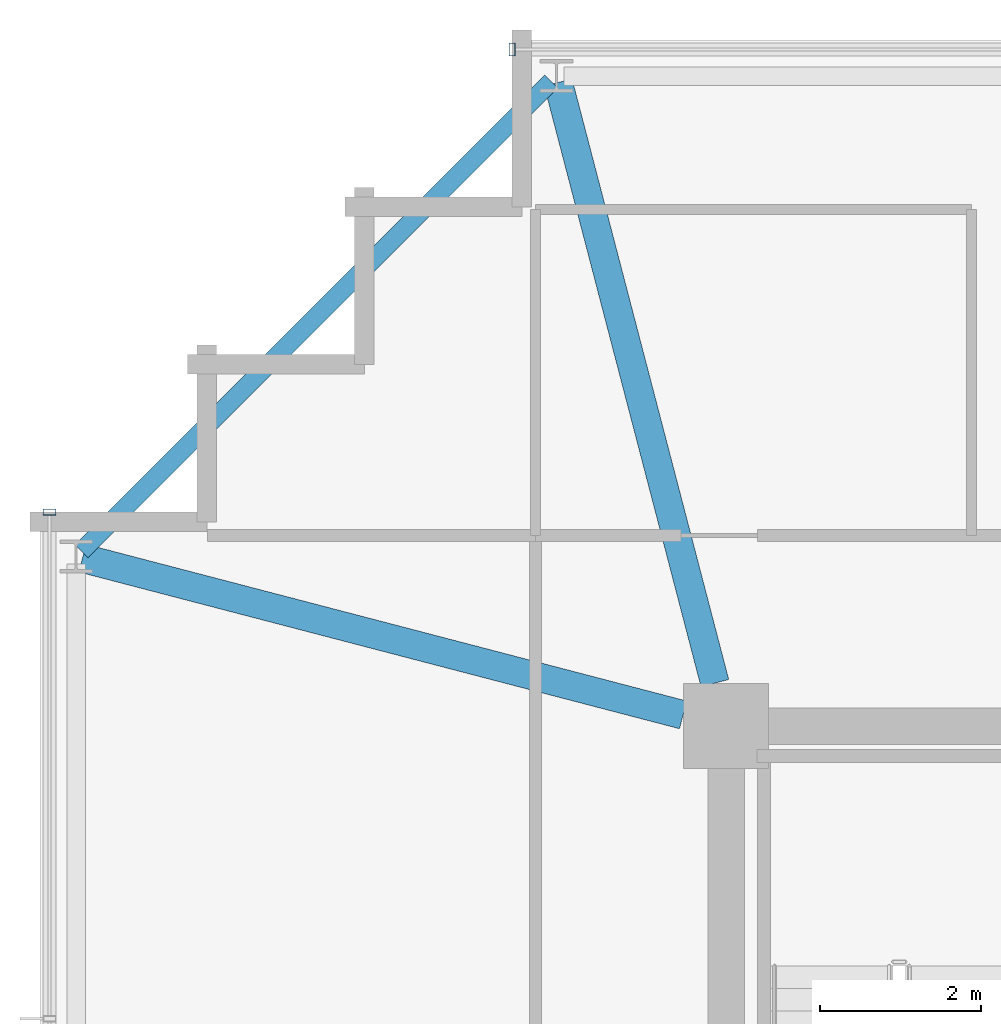
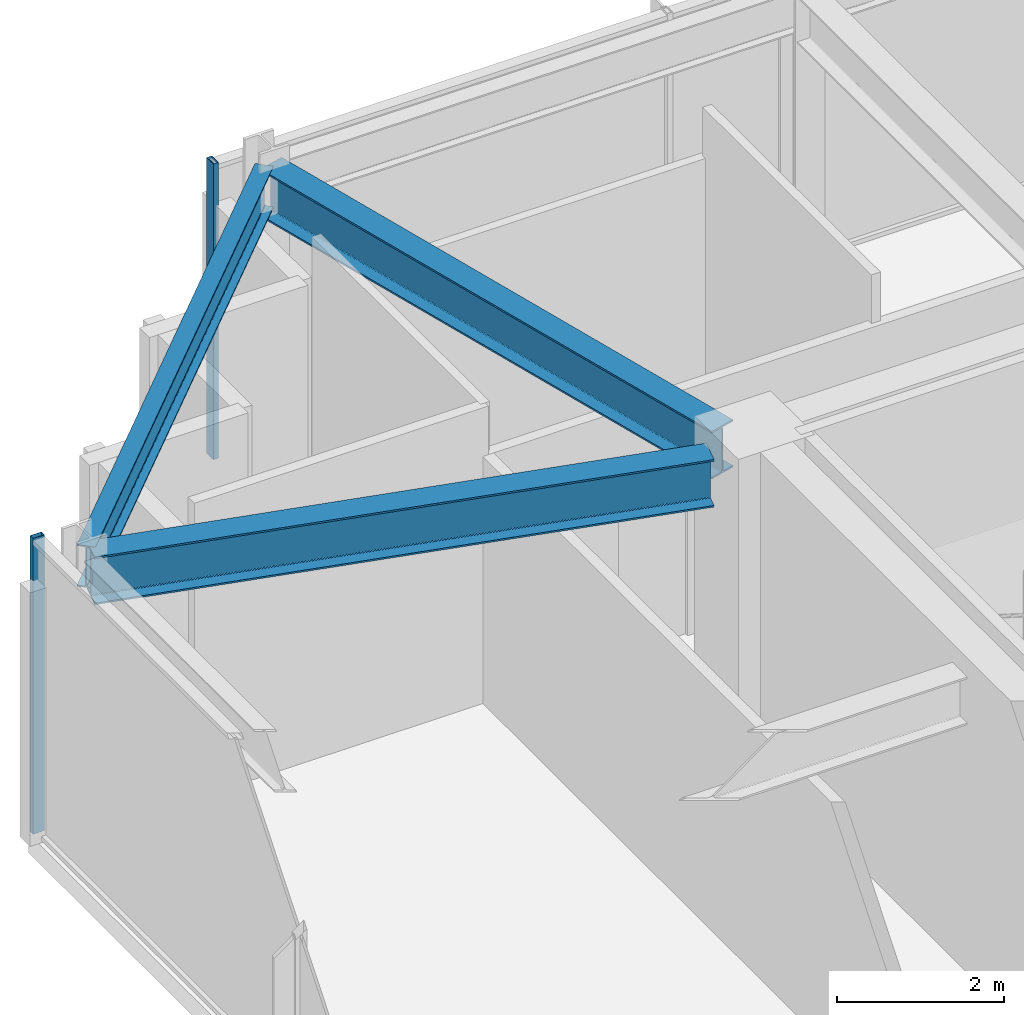
# One storey, part 15 of 30: 3 beams, 2 members, 2 elements without a shape of their own.
"""IFC4 building model written with IfcOpenShell, lengths in metres."""

from ifc_helpers import new_model, si_unit, direction, frame, origin, origin_2d, place, context, subcontext, project, spatial, hollow_rectangle, i_section, extrude, material, material_profile, profile_set, type_object, element, aggregate, save


model = new_model("IFC4")

# Units and contexts
model_context = context("Model", 3, precision=1e-05, world=origin(), true_north=direction((0.0, 1.0)))
body_context = subcontext(model_context, "Body", "Model", "MODEL_VIEW")
ifc_project = project(units=[si_unit("LENGTHUNIT", "METRE"), si_unit("AREAUNIT", "SQUARE_METRE"), si_unit("VOLUMEUNIT", "CUBIC_METRE"), si_unit("PLANEANGLEUNIT", "RADIAN"), si_unit("MASSUNIT", "GRAM", prefix="KILO")], contexts=[model_context])

# Site, building, storey
site_placement = place(None, origin())
site = spatial("IfcSite", under=ifc_project, at=site_placement, CompositionType="ELEMENT")
building_placement = place(site_placement, origin())
building = spatial("IfcBuilding", under=site, at=building_placement, Name="Kolvaren Belvedere", CompositionType="ELEMENT")
storey_placement = place(building_placement, frame((0.0, 0.0, 262.800048828125)))
storey = spatial("IfcBuildingStorey", under=building, at=storey_placement, Name="L76", CompositionType="ELEMENT", Elevation=262.800048828125)

# Beams
ifc_material_1 = material(Name="Structural steel ASTM A992 Grade 50", Category="steel")
ifc_material_profile_1 = material_profile(ifc_material_1, i_section(OverallWidth=0.35498046875, OverallDepth=0.696044921875, WebThickness=0.015380859375, FlangeThickness=0.02490234375, FilletRadius=0.02197265625, at=origin_2d()), Name="W27X146")
ifc_profile_set_1 = profile_set([ifc_material_profile_1], Name="Structural steel ASTM A992 Grade 50")
beam_type_1 = type_object("IfcBeamType", Name="BM-GIRD-W27X146", PredefinedType="BEAM", material=ifc_profile_set_1)
for number, where, z_axis, x_axis, name in (
    (1, (-10.038818359375, 10.43212890625, 3.971923828125), (-0.252430946281, 0.967614911708, 0.0), (-0.967614911708, -0.252430946281, 0.0), "L76 Corner Core-to-Perimeter Girder CC4-N1"),
    (2, (-10.43212890625, 10.038818359375, 3.971923828125), (-0.967614911708, 0.252430946281, 0.0), (-0.252430946281, -0.967614911708, 0.0), "L76 Corner Core-to-Perimeter Girder CC4-W4"),
):
    element("IfcBeam", number, at=place(storey_placement, frame(where, z_axis=z_axis, x_axis=x_axis)), inside=storey, type_object=beam_type_1, Name=name, PredefinedType="BEAM", context=body_context, shape_type="SweptSolid", body=[
        extrude(i_section(OverallWidth=0.35498046875, OverallDepth=0.696044921875, WebThickness=0.015380859375, FlangeThickness=0.02490234375, FilletRadius=0.02197265625, at=origin_2d()), origin(), (0.0, 0.0, 1.0), 7.68798828125),
    ])
ifc_material_2 = material(Name="Structural steel ASTM A992 Grade 50", Category="steel")
ifc_material_profile_2 = material_profile(ifc_material_2, i_section(OverallWidth=0.22900390625, OverallDepth=0.612060546875, WebThickness=0.011962890625, FlangeThickness=0.01953125, FilletRadius=0.01806640625, at=origin_2d()), Name="W24X84")
ifc_profile_set_2 = profile_set([ifc_material_profile_2], Name="Structural steel ASTM A992 Grade 50")
beam_type_2 = type_object("IfcBeamType", Name="BM-SPAN-W24X84", PredefinedType="SPANDREL", material=ifc_profile_set_2)
beam_placement = place(storey_placement, frame((-12.064697265625, 17.88525390625, 4.013916015625), z_axis=(-0.707106781187, -0.707106781187, 0.0), x_axis=(0.707106781187, -0.707106781187, 0.0)))
element("IfcBeam", 3, at=beam_placement, inside=storey, type_object=beam_type_2, Name="L76 Perimeter Spandrel N1-W4", PredefinedType="SPANDREL", context=body_context, shape_type="SweptSolid", body=[
    extrude(i_section(OverallWidth=0.22900390625, OverallDepth=0.612060546875, WebThickness=0.011962890625, FlangeThickness=0.01953125, FilletRadius=0.01806640625, at=origin_2d()), origin(), (0.0, 0.0, 1.0), 8.2314453125),
])

# Curtain wall, member
ifc_material_3 = material(Name="Anodised pale-metal aluminium AA 6063-T6", Category="aluminium")
curtain_wall_type = type_object("IfcCurtainWallType", Name="CW-CRN-OBS", PredefinedType="NOTDEFINED", material=ifc_material_3)
curtain_wall_1_placement = place(storey_placement, origin())
curtain_wall_1 = element("IfcCurtainWall", 4, at=curtain_wall_1_placement, inside=storey, type_object=curtain_wall_type, Name="L76 Unitised Curtain Wall FCW-L76-N", PredefinedType="NOTDEFINED")
ifc_material_4 = material(Name="Anodised pale-metal aluminium AA 6063-T6", Category="aluminium")
ifc_material_profile_3 = material_profile(ifc_material_4, hollow_rectangle(XDim=0.074951171875, YDim=0.159912109375, WallThickness=0.00439453125, at=origin_2d()), Name="ALU-MUL-160X75")
ifc_profile_set_3 = profile_set([ifc_material_profile_3], Name="Anodised pale-metal aluminium AA 6063-T6")
member_type = type_object("IfcMemberType", Name="CW-MUL-160", PredefinedType="MULLION", material=ifc_profile_set_3)
member_1_placement = place(storey_placement, frame((-12.550048828125, 18.280029296875, 0.0), z_axis=(0.0, 0.0, 1.0), x_axis=(1.0, 0.0, 0.0)))
member_1 = element("IfcMember", 5, at=member_1_placement, type_object=member_type, Name="FCW-L76-N Unitised Mullion 1", PredefinedType="MULLION", context=body_context, shape_type="SweptSolid", body=[
    extrude(hollow_rectangle(XDim=0.074951171875, YDim=0.159912109375, WallThickness=0.00439453125, at=origin_2d()), origin(), (0.0, 0.0, 1.0), 4.320068359375),
])
aggregate(curtain_wall_1, [member_1])

curtain_wall_2_placement = place(storey_placement, origin())
curtain_wall_2 = element("IfcCurtainWall", 6, at=curtain_wall_2_placement, inside=storey, type_object=curtain_wall_type, Name="L76 Unitised Curtain Wall FCW-L76-W", PredefinedType="NOTDEFINED")
member_2_placement = place(storey_placement, frame((-18.280029296875, 12.550048828125, 0.0), z_axis=(0.0, 0.0, 1.0), x_axis=(0.0, 1.0, 0.0)))
member_2 = element("IfcMember", 7, at=member_2_placement, type_object=member_type, Name="FCW-L76-W Unitised Mullion 5", PredefinedType="MULLION", context=body_context, shape_type="SweptSolid", body=[
    extrude(hollow_rectangle(XDim=0.074951171875, YDim=0.159912109375, WallThickness=0.00439453125, at=origin_2d()), origin(), (0.0, 0.0, 1.0), 4.320068359375),
])
aggregate(curtain_wall_2, [member_2])

save(model, "model.ifc")
